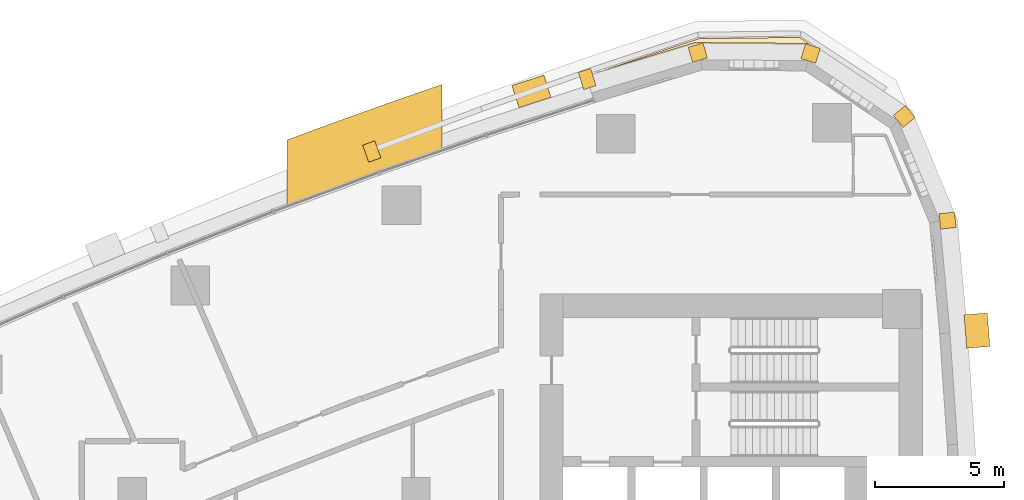
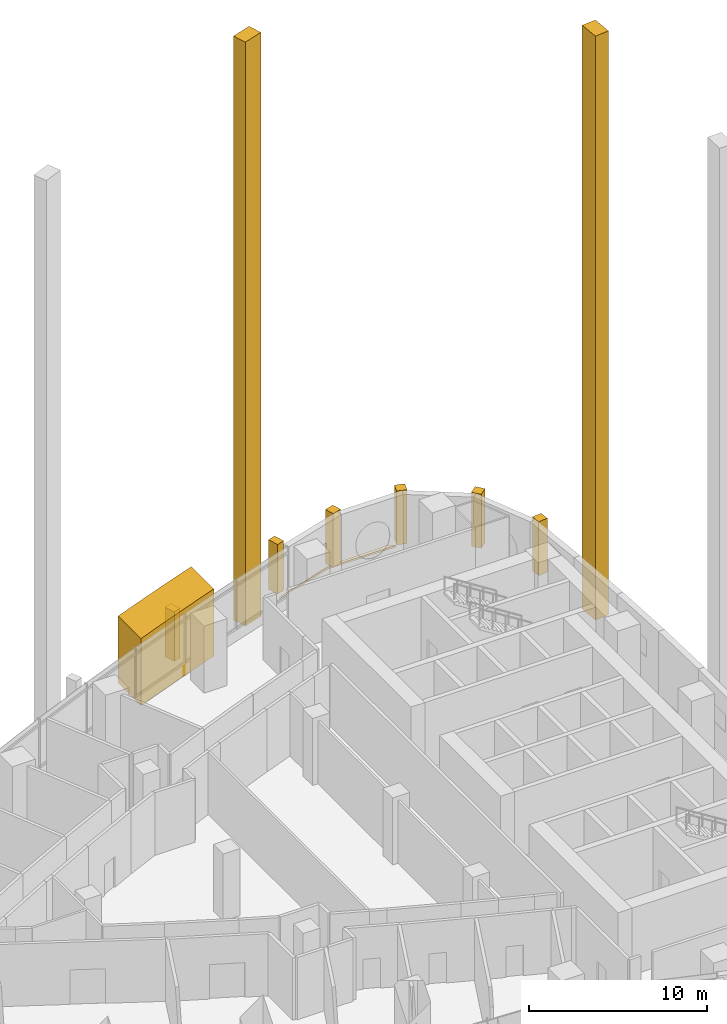
# One storey, part 17 of 17: 10 coverings.
"""IFC4 building model written with IfcOpenShell, lengths in metres."""

from ifc_helpers import new_model, si_unit, direction, frame, frame_2d, origin, place, context, subcontext, project, spatial, polyline, rectangle, outline, extrude, material, layer, layer_set, type_object, element, save


model = new_model("IFC4")

# Units and contexts
model_context = context("Model", 3, precision=1e-05, world=origin(), true_north=direction((0.0, 1.0)))
body_context = subcontext(model_context, "Body", "Model", "MODEL_VIEW")
ifc_project = project(units=[si_unit("LENGTHUNIT", "METRE"), si_unit("AREAUNIT", "SQUARE_METRE"), si_unit("VOLUMEUNIT", "CUBIC_METRE"), si_unit("PLANEANGLEUNIT", "RADIAN"), si_unit("MASSUNIT", "GRAM", prefix="KILO")], contexts=[model_context])

# Site, building, storey
site_placement = place(None, origin())
site = spatial("IfcSite", under=ifc_project, at=site_placement, CompositionType="ELEMENT")
building_placement = place(site_placement, origin())
building = spatial("IfcBuilding", under=site, at=building_placement, Name="Ostrand Prow Hotel Tower", CompositionType="ELEMENT")
storey_placement = place(building_placement, frame((0.0, 0.0, 125.60009765625)))
storey = spatial("IfcBuildingStorey", under=building, at=storey_placement, Name="L30", CompositionType="ELEMENT", Elevation=125.60009765625)

# Coverings
ifc_material_1 = material(Name="Limestone cladding", Category="masonry")
ifc_layer_1 = layer(ifc_material_1, 5.0)
ifc_layer_set_1 = layer_set([ifc_layer_1], Name="Limestone cladding")
covering_type_1 = type_object("IfcCoveringType", Name="Portal jamb pilaster limestone", PredefinedType="CLADDING", material=ifc_layer_set_1)
covering_1_placement = place(storey_placement, origin())
element("IfcCovering", 1, at=covering_1_placement, inside=storey, type_object=covering_type_1, Name="Portal jamb NB L30", PredefinedType="CLADDING", context=body_context, shape_type="SweptSolid", body=[
    extrude(outline(polyline([(40.0, 20.058349609375), (41.0, 20.434326171875), (42.0, 20.804931640625), (43.0, 21.169921875), (44.0, 21.529296875), (45.0, 21.883056640625), (46.0, 22.231689453125), (46.0, 24.769287109375), (45.0, 24.425048828125), (44.0, 24.075439453125), (43.0, 23.720458984375), (42.0, 23.360107421875), (41.0, 22.994140625), (40.0, 22.622802734375), (40.0, 20.058349609375)])), origin(), (0.0, 0.0, 1.0), 4.599853515625),
])
ifc_material_2 = material(Name="Limestone cladding", Category="masonry")
ifc_layer_2 = layer(ifc_material_2, 1.300048828125)
ifc_layer_set_2 = layer_set([ifc_layer_2], Name="Limestone cladding")
covering_type_2 = type_object("IfcCoveringType", Name="Precast stone fin 1300x1500", PredefinedType="CLADDING", material=ifc_layer_set_2)
covering_2_placement = place(storey_placement, frame((49.610595703125, 24.075927734375, 0.0), z_axis=(0.0, 0.0, 1.0), x_axis=(-0.309546115939, 0.95088443152, 0.0)))
element("IfcCovering", 2, at=covering_2_placement, inside=storey, type_object=covering_type_2, Name="Stone fin N zone 3 1", PredefinedType="CLADDING", context=body_context, shape_type="SweptSolid", body=[
    extrude(rectangle(XDim=0.89990234375, YDim=1.300048828125, at=frame_2d((0.449951171875, 0.0))), origin(), (0.0, 0.0, 1.0), 40.099853515625),
])
covering_3_placement = place(storey_placement, frame((66.286376953125, 15.19921875, 0.0), z_axis=(0.0, 0.0, 1.0), x_axis=(0.99687963891, 0.078936591816, 0.0)))
element("IfcCovering", 3, at=covering_3_placement, inside=storey, type_object=covering_type_2, Name="Stone fin back zone 3 13", PredefinedType="CLADDING", context=body_context, shape_type="SweptSolid", body=[
    extrude(rectangle(XDim=0.900146484375, YDim=1.300048828125, at=frame_2d((0.4501953125, 0.0))), origin(), (0.0, 0.0, 1.0), 40.099853515625),
])
ifc_material_3 = material(Name="Limestone cladding", Category="masonry")
ifc_layer_3 = layer(ifc_material_3, 0.5)
ifc_layer_set_3 = layer_set([ifc_layer_3], Name="Limestone cladding")
covering_type_3 = type_object("IfcCoveringType", Name="Precast stone fin 500x600", PredefinedType="CLADDING", material=ifc_layer_set_3)
covering_4_placement = place(storey_placement, frame((51.7353515625, 24.650390625, 0.89990234375), z_axis=(0.0, 0.0, 1.0), x_axis=(-0.299962638808, 0.953950950164, 0.0)))
element("IfcCovering", 4, at=covering_4_placement, inside=storey, type_object=covering_type_3, Name="Stone fin N 1", PredefinedType="CLADDING", context=body_context, shape_type="SweptSolid", body=[
    extrude(rectangle(XDim=0.699951171875, YDim=0.5, at=frame_2d((0.35009765625, 0.0))), origin(), (0.0, 0.0, 1.0), 3.39990234375),
])
covering_5_placement = place(storey_placement, frame((43.402099609375, 21.84619140625, 0.89990234375), z_axis=(0.0, 0.0, 1.0), x_axis=(-0.337904356877, 0.941180453263, 0.0)))
element("IfcCovering", 5, at=covering_5_placement, inside=storey, type_object=covering_type_3, Name="Stone fin N 3", PredefinedType="CLADDING", context=body_context, shape_type="SweptSolid", body=[
    extrude(rectangle(XDim=0.7001953125, YDim=0.5, at=frame_2d((0.35009765625, 0.0))), origin(), (0.0, 0.0, 1.0), 3.39990234375),
])
ifc_material_4 = material(Name="Limestone cladding", Category="masonry")
ifc_layer_4 = layer(ifc_material_4, 0.60009765625)
ifc_layer_set_4 = layer_set([ifc_layer_4], Name="Limestone cladding")
covering_type_4 = type_object("IfcCoveringType", Name="Precast stone prow rib 600x600", PredefinedType="CLADDING", material=ifc_layer_set_4)
covering_6_placement = place(storey_placement, frame((65.296875, 19.467529296875, 0.599853515625), z_axis=(0.0, 0.0, 1.0), x_axis=(0.994854249607, 0.101316445052, 0.0)))
element("IfcCovering", 6, at=covering_6_placement, inside=storey, type_object=covering_type_4, Name="Stone corner rib 14a", PredefinedType="CLADDING", context=body_context, shape_type="SweptSolid", body=[
    extrude(rectangle(XDim=0.60009765625, YDim=0.60009765625, at=frame_2d((0.300048828125, 0.0))), origin(), (0.0, 0.0, 1.0), 3.699951171875),
])
for number, where, z_axis, x_axis, name in (
    (7, (63.68505859375, 23.34521484375, 0.599853515625), (0.0, 0.0, 1.0), (0.773830327772, 0.633392945825, 0.0), "Stone corner rib 15a"),
    (8, (60.201171875, 25.689697265625, 0.599853515625), (0.0, 0.0, 1.0), (0.295515682615, 0.955337888565, 0.0), "Stone corner rib 16a"),
):
    element("IfcCovering", number, at=place(storey_placement, frame(where, z_axis=z_axis, x_axis=x_axis)), inside=storey, type_object=covering_type_4, Name=name, PredefinedType="CLADDING", context=body_context, shape_type="SweptSolid", body=[
        extrude(rectangle(XDim=0.599853515625, YDim=0.60009765625, at=frame_2d((0.2998046875, 0.0))), origin(), (0.0, 0.0, 1.0), 3.699951171875),
    ])
covering_7_placement = place(storey_placement, frame((56.001953125, 25.722412109375, 0.599853515625), z_axis=(0.0, 0.0, 1.0), x_axis=(-0.280734221166, 0.959785547436, 0.0)))
element("IfcCovering", 9, at=covering_7_placement, inside=storey, type_object=covering_type_4, Name="Stone corner rib 16b", PredefinedType="CLADDING", context=body_context, shape_type="SweptSolid", body=[
    extrude(rectangle(XDim=0.60009765625, YDim=0.60009765625, at=frame_2d((0.300048828125, 0.0))), origin(), (0.0, 0.0, 1.0), 3.699951171875),
])
ifc_material_5 = material(Name="Bituminous membrane, insulation and stone ballast", Category="masonry")
ifc_layer_5 = layer(ifc_material_5, 0.1201171875)
ifc_layer_set_5 = layer_set([ifc_layer_5], Name="Bituminous membrane, insulation and stone ballast")
covering_type_5 = type_object("IfcCoveringType", Name="Roof build-up membrane, insulation and stone ballast 120 mm", PredefinedType="ROOFING", material=ifc_layer_set_5)
covering_8_placement = place(storey_placement, origin())
element("IfcCovering", 10, at=covering_8_placement, inside=storey, type_object=covering_type_5, Name="Roof build-up Ledge roof slab L30.1 2", PredefinedType="ROOFING", context=body_context, shape_type="SweptSolid", body=[
    extrude(outline(polyline([(52.001220703125, 25.24072265625), (55.805419921875, 26.394287109375), (55.807373046875, 26.394775390625), (55.809326171875, 26.39501953125), (55.811279296875, 26.395263671875), (60.221923828125, 26.360595703125), (59.859375, 26.59912109375), (55.951904296875, 26.5498046875), (52.001220703125, 25.24072265625)])), origin(), (0.0, 0.0, 1.0), 0.119873046875),
])

save(model, "model.ifc")
